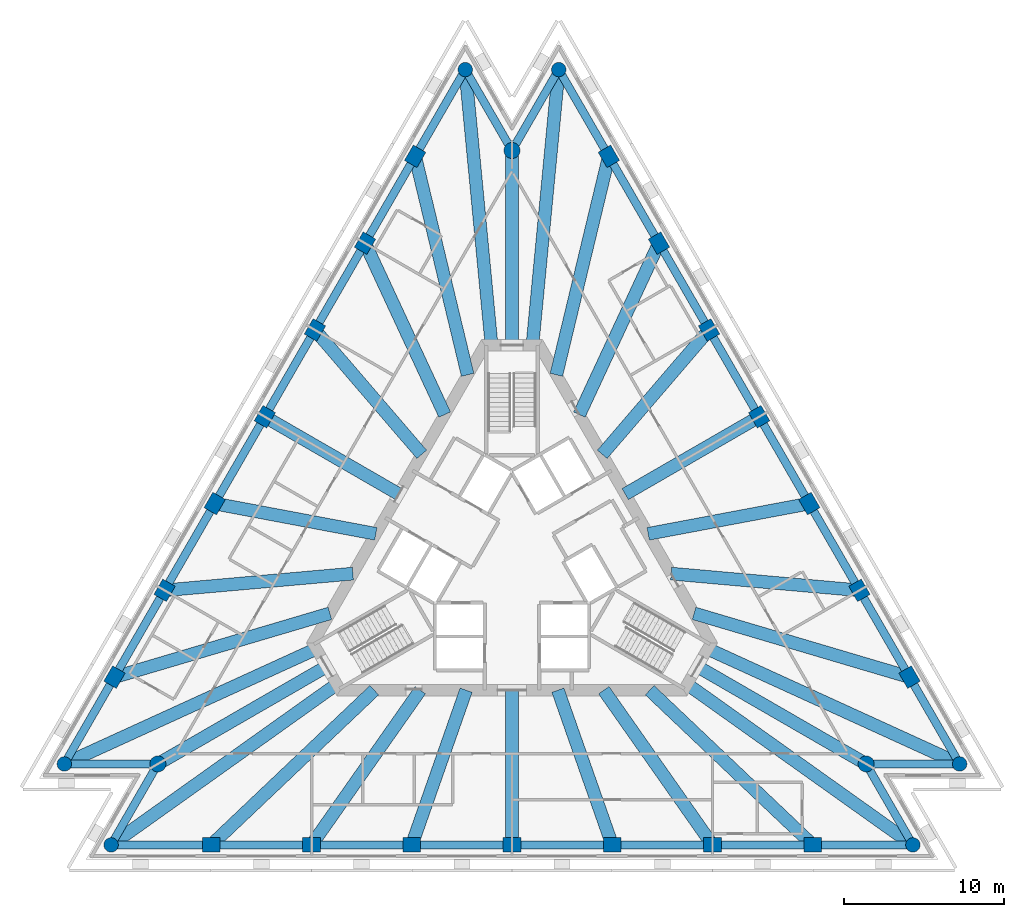
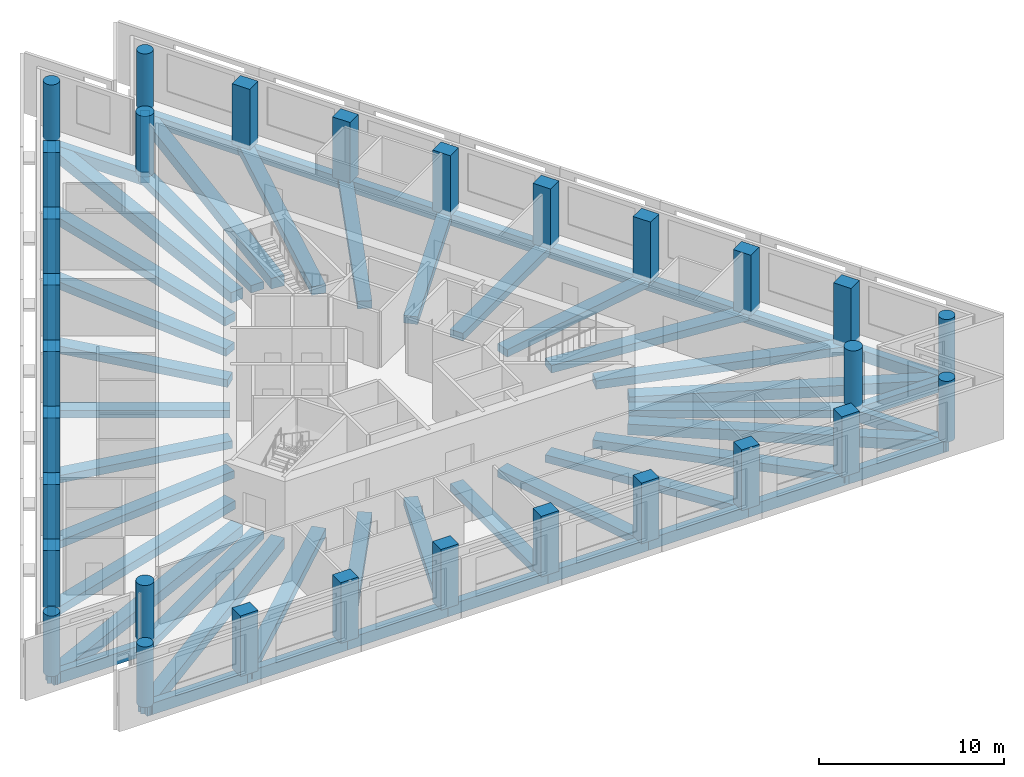
# One storey, part 1 of 10: 60 beams, 30 columns.
"""IFC4 building model written with IfcOpenShell, lengths in metres."""

from ifc_helpers import new_model, si_unit, direction, frame, origin, origin_2d, place, context, subcontext, project, spatial, rectangle, circle, extrude, material, material_profile, profile_set, type_object, element, save


model = new_model("IFC4")

# Units and contexts
model_context = context("Model", 3, precision=1e-05, world=origin(), true_north=direction((0.0, 1.0)))
body_context = subcontext(model_context, "Body", "Model", "MODEL_VIEW")
ifc_project = project(units=[si_unit("LENGTHUNIT", "METRE"), si_unit("AREAUNIT", "SQUARE_METRE"), si_unit("VOLUMEUNIT", "CUBIC_METRE"), si_unit("PLANEANGLEUNIT", "RADIAN"), si_unit("MASSUNIT", "GRAM", prefix="KILO")], contexts=[model_context])

# Site, building, storey
site_placement = place(None, origin())
site = spatial("IfcSite", under=ifc_project, at=site_placement, CompositionType="ELEMENT")
building_placement = place(site_placement, origin())
building = spatial("IfcBuilding", under=site, at=building_placement, Name="Triada Interchange Tower", CompositionType="ELEMENT")
storey_placement = place(building_placement, frame((0.0, 0.0, 199.300048828125)))
storey = spatial("IfcBuildingStorey", under=building, at=storey_placement, Name="L46", CompositionType="ELEMENT", Elevation=199.300048828125)

# Columns
ifc_material = material(Name="Concrete C50/60", Category="concrete")
ifc_material_profile_1 = material_profile(ifc_material, rectangle(XDim=1.10009765625, YDim=0.89990234375, at=origin_2d()), Name="RC 1100x900")
ifc_profile_set_1 = profile_set([ifc_material_profile_1], Name="Concrete C50/60")
column_type_1 = type_object("IfcColumnType", Name="Column C face RC 1100x900", PredefinedType="COLUMN", material=ifc_profile_set_1)
for number, where, z_axis, x_axis, name in (
    (1, (-6.0380859375, 25.131103515625, -0.300048828125), (0.0, 0.0, 1.0), (0.5, 0.866025403784, 0.0), "Column CC02 L46"),
    (2, (-9.162109375, 19.719970703125, -0.300048828125), (0.0, 0.0, 1.0), (0.5, 0.866025403784, 0.0), "Column CC03 L46"),
    (3, (-12.285888671875, 14.30908203125, -0.300048828125), (0.0, 0.0, 1.0), (0.5, 0.866025403784, 0.0), "Column CC04 L46"),
    (4, (-15.409912109375, 8.89794921875, -0.300048828125), (0.0, 0.0, 1.0), (0.5, 0.866025403784, 0.0), "Column CC05 L46"),
    (5, (-18.534912109375, 3.486083984375, -0.300048828125), (0.0, 0.0, 1.0), (0.5, 0.866025403784, 0.0), "Column CC06 L46"),
    (6, (-21.658935546875, -1.925048828125, -0.300048828125), (0.0, 0.0, 1.0), (0.5, 0.866025403784, 0.0), "Column CC07 L46"),
    (7, (-24.782958984375, -7.3359375, -0.300048828125), (0.0, 0.0, 1.0), (0.5, 0.866025403784, 0.0), "Column CC08 L46"),
    (8, (-18.7451171875, -17.794921875, -0.300048828125), (0.0, 0.0, 1.0), (1.0, 0.0, 0.0), "Column CC11 L46"),
    (9, (-12.49609375, -17.794921875, -0.300048828125), (0.0, 0.0, 1.0), (1.0, 0.0, 0.0), "Column CC12 L46"),
    (10, (-6.248046875, -17.794921875, -0.300048828125), (0.0, 0.0, 1.0), (1.0, 0.0, 0.0), "Column CC13 L46"),
    (11, (0.0, -17.794921875, -0.300048828125), (0.0, 0.0, 1.0), (1.0, 0.0, 0.0), "Column CC14 L46"),
    (12, (6.248046875, -17.794921875, -0.300048828125), (0.0, 0.0, 1.0), (1.0, 0.0, 0.0), "Column CC15 L46"),
    (13, (12.4970703125, -17.794921875, -0.300048828125), (0.0, 0.0, 1.0), (1.0, 0.0, 0.0), "Column CC16 L46"),
    (14, (18.7451171875, -17.794921875, -0.300048828125), (0.0, 0.0, 1.0), (1.0, 0.0, 0.0), "Column CC17 L46"),
    (15, (24.782958984375, -7.3359375, -0.300048828125), (0.0, 0.0, 1.0), (-0.5, 0.866025403784, 0.0), "Column CC20 L46"),
    (16, (21.658935546875, -1.925048828125, -0.300048828125), (0.0, 0.0, 1.0), (-0.5, 0.866025403784, 0.0), "Column CC21 L46"),
    (17, (18.534912109375, 3.486083984375, -0.300048828125), (0.0, 0.0, 1.0), (-0.5, 0.866025403784, 0.0), "Column CC22 L46"),
    (18, (15.409912109375, 8.89794921875, -0.300048828125), (0.0, 0.0, 1.0), (-0.5, 0.866025403784, 0.0), "Column CC23 L46"),
    (19, (12.285888671875, 14.30908203125, -0.300048828125), (0.0, 0.0, 1.0), (-0.5, 0.866025403784, 0.0), "Column CC24 L46"),
    (20, (9.162109375, 19.719970703125, -0.300048828125), (0.0, 0.0, 1.0), (-0.5, 0.866025403784, 0.0), "Column CC25 L46"),
    (21, (6.0380859375, 25.131103515625, -0.300048828125), (0.0, 0.0, 1.0), (-0.5, 0.866025403784, 0.0), "Column CC26 L46"),
):
    element("IfcColumn", number, at=place(storey_placement, frame(where, z_axis=z_axis, x_axis=x_axis)), inside=storey, type_object=column_type_1, Name=name, PredefinedType="COLUMN", context=body_context, shape_type="SweptSolid", body=[
        extrude(rectangle(XDim=1.10009765625, YDim=0.89990234375, at=origin_2d()), origin(), (0.0, 0.0, 1.0), 4.0),
    ])
ifc_material_profile_2 = material_profile(ifc_material, circle(Radius=0.449951171875, at=origin_2d()), Name="RC D900")
ifc_profile_set_2 = profile_set([ifc_material_profile_2], Name="Concrete C50/60")
column_type_2 = type_object("IfcColumnType", Name="End column C RC D900", PredefinedType="COLUMN", material=ifc_profile_set_2)
for number, where, z_axis, x_axis, name in (
    (22, (-2.9140625, 30.5419921875, -0.300048828125), (0.0, 0.0, 1.0), (0.5, 0.866025403784, 0.0), "Column CC01 L46"),
    (23, (-27.906982421875, -12.7470703125, -0.300048828125), (0.0, 0.0, 1.0), (0.5, 0.866025403784, 0.0), "Column CC09 L46"),
    (24, (-24.992919921875, -17.794921875, -0.300048828125), (0.0, 0.0, 1.0), (1.0, 0.0, 0.0), "Column CC10 L46"),
    (25, (24.992919921875, -17.794921875, -0.300048828125), (0.0, 0.0, 1.0), (1.0, 0.0, 0.0), "Column CC18 L46"),
    (26, (27.906982421875, -12.7470703125, -0.300048828125), (0.0, 0.0, 1.0), (-0.5, 0.866025403784, 0.0), "Column CC19 L46"),
    (27, (2.9140625, 30.5419921875, -0.300048828125), (0.0, 0.0, 1.0), (-0.5, 0.866025403784, 0.0), "Column CC27 L46"),
):
    element("IfcColumn", number, at=place(storey_placement, frame(where, z_axis=z_axis, x_axis=x_axis)), inside=storey, type_object=column_type_2, Name=name, PredefinedType="COLUMN", context=body_context, shape_type="SweptSolid", body=[
        extrude(circle(Radius=0.449951171875, at=origin_2d()), origin(), (0.0, 0.0, 1.0), 4.0),
    ])
ifc_material_profile_3 = material_profile(ifc_material, circle(Radius=0.5, at=origin_2d()), Name="RC D1000")
ifc_profile_set_3 = profile_set([ifc_material_profile_3], Name="Concrete C50/60")
column_type_3 = type_object("IfcColumnType", Name="Mega column C RC D1000", PredefinedType="COLUMN", material=ifc_profile_set_3)
for number, where, z_axis, x_axis, name in (
    (28, (0.0, 25.4951171875, -0.300048828125), (0.0, 0.0, 1.0), (1.0, 0.0, 0.0), "Column MC1 L46"),
    (29, (-22.0791015625, -12.7470703125, -0.300048828125), (0.0, 0.0, 1.0), (1.0, 0.0, 0.0), "Column MC2 L46"),
    (30, (22.0791015625, -12.7470703125, -0.300048828125), (0.0, 0.0, 1.0), (1.0, 0.0, 0.0), "Column MC3 L46"),
):
    element("IfcColumn", number, at=place(storey_placement, frame(where, z_axis=z_axis, x_axis=x_axis)), inside=storey, type_object=column_type_3, Name=name, PredefinedType="COLUMN", context=body_context, shape_type="SweptSolid", body=[
        extrude(circle(Radius=0.5, at=origin_2d()), origin(), (0.0, 0.0, 1.0), 4.0),
    ])

# Beams
ifc_material_profile_4 = material_profile(ifc_material, rectangle(XDim=0.800048828125, YDim=0.5, at=origin_2d()), Name="RC 800x500")
ifc_profile_set_4 = profile_set([ifc_material_profile_4], Name="Concrete C50/60")
beam_type_1 = type_object("IfcBeamType", Name="Radial band beam C RC 800x500", PredefinedType="BEAM", material=ifc_profile_set_4)
beam_1_placement = place(storey_placement, frame((-9.162109375, 19.719970703125, -0.550048828125), z_axis=(0.421375439304, -0.906886287884, 0.0), x_axis=(0.906886287884, 0.421375439304, 0.0)))
element("IfcBeam", 31, at=beam_1_placement, inside=storey, type_object=beam_type_1, Name="Radial band beam BC03 L46", PredefinedType="BEAM", context=body_context, shape_type="SweptSolid", body=[
    extrude(rectangle(XDim=0.800048828125, YDim=0.5, at=origin_2d()), origin(), (0.0, 0.0, 1.0), 11.785400390625),
])
beam_2_placement = place(storey_placement, frame((-12.285888671875, 14.30908203125, -0.550048828125), z_axis=(0.651450059904, -0.758691517978, 0.0), x_axis=(0.758691517978, 0.651450059904, 0.0)))
element("IfcBeam", 32, at=beam_2_placement, inside=storey, type_object=beam_type_1, Name="Radial band beam BC04 L46", PredefinedType="BEAM", context=body_context, shape_type="SweptSolid", body=[
    extrude(rectangle(XDim=0.800048828125, YDim=0.5, at=origin_2d()), origin(), (0.0, 0.0, 1.0), 10.2216796875),
])
beam_3_placement = place(storey_placement, frame((-15.409912109375, 8.89794921875, -0.550048828125), z_axis=(0.865976899387, -0.500084002672, 0.0), x_axis=(0.500084002672, 0.865976899387, 0.0)))
element("IfcBeam", 33, at=beam_3_placement, inside=storey, type_object=beam_type_1, Name="Radial band beam BC05 L46", PredefinedType="BEAM", context=body_context, shape_type="SweptSolid", body=[
    extrude(rectangle(XDim=0.800048828125, YDim=0.5, at=origin_2d()), origin(), (0.0, 0.0, 1.0), 9.644287109375),
])
beam_4_placement = place(storey_placement, frame((-18.534912109375, 3.486083984375, -0.550048828125), z_axis=(0.982773627187, -0.18481341322, 0.0), x_axis=(0.18481341322, 0.982773627187, 0.0)))
element("IfcBeam", 34, at=beam_4_placement, inside=storey, type_object=beam_type_1, Name="Radial band beam BC06 L46", PredefinedType="BEAM", context=body_context, shape_type="SweptSolid", body=[
    extrude(rectangle(XDim=0.800048828125, YDim=0.5, at=origin_2d()), origin(), (0.0, 0.0, 1.0), 10.221923828125),
])
beam_5_placement = place(storey_placement, frame((-21.658935546875, -1.925048828125, -0.550048828125), z_axis=(0.996076374938, 0.088497769976, 0.0), x_axis=(-0.088497769976, 0.996076374938, 0.0)))
element("IfcBeam", 35, at=beam_5_placement, inside=storey, type_object=beam_type_1, Name="Radial band beam BC07 L46", PredefinedType="BEAM", context=body_context, shape_type="SweptSolid", body=[
    extrude(rectangle(XDim=0.800048828125, YDim=0.5, at=origin_2d()), origin(), (0.0, 0.0, 1.0), 11.78515625),
])
beam_6_placement = place(storey_placement, frame((-22.0791015625, -12.7470703125, -0.550048828125), z_axis=(0.866026229868, 0.499998569178, 0.0), x_axis=(-0.499998569178, 0.866026229868, 0.0)))
element("IfcBeam", 36, at=beam_6_placement, inside=storey, type_object=beam_type_1, Name="Radial band beam BC10 L46", PredefinedType="BEAM", context=body_context, shape_type="SweptSolid", body=[
    extrude(rectangle(XDim=0.800048828125, YDim=0.5, at=origin_2d()), origin(), (0.0, 0.0, 1.0), 12.14404296875),
])
beam_7_placement = place(storey_placement, frame((-12.49609375, -17.794921875, -0.550048828125), z_axis=(0.574696251611, 0.818366799414, 0.0), x_axis=(-0.818366799414, 0.574696251611, 0.0)))
element("IfcBeam", 37, at=beam_7_placement, inside=storey, type_object=beam_type_1, Name="Radial band beam BC13 L46", PredefinedType="BEAM", context=body_context, shape_type="SweptSolid", body=[
    extrude(rectangle(XDim=0.800048828125, YDim=0.5, at=origin_2d()), origin(), (0.0, 0.0, 1.0), 11.78564453125),
])
beam_8_placement = place(storey_placement, frame((-6.248046875, -17.794921875, -0.550048828125), z_axis=(0.3312417903, 0.943545905804, 0.0), x_axis=(-0.943545905804, 0.3312417903, 0.0)))
element("IfcBeam", 38, at=beam_8_placement, inside=storey, type_object=beam_type_1, Name="Radial band beam BC14 L46", PredefinedType="BEAM", context=body_context, shape_type="SweptSolid", body=[
    extrude(rectangle(XDim=0.800048828125, YDim=0.5, at=origin_2d()), origin(), (0.0, 0.0, 1.0), 10.22216796875),
])
beam_9_placement = place(storey_placement, frame((0.0, -17.794921875, -0.550048828125), z_axis=(0.0, 1.0, 0.0), x_axis=(-1.0, 0.0, 0.0)))
element("IfcBeam", 39, at=beam_9_placement, inside=storey, type_object=beam_type_1, Name="Radial band beam BC15 L46", PredefinedType="BEAM", context=body_context, shape_type="SweptSolid", body=[
    extrude(rectangle(XDim=0.800048828125, YDim=0.5, at=origin_2d()), origin(), (0.0, 0.0, 1.0), 9.64501953125),
])
beam_10_placement = place(storey_placement, frame((6.248046875, -17.794921875, -0.550048828125), z_axis=(-0.3312417903, 0.943545905804, 0.0), x_axis=(-0.943545905804, -0.3312417903, 0.0)))
element("IfcBeam", 40, at=beam_10_placement, inside=storey, type_object=beam_type_1, Name="Radial band beam BC16 L46", PredefinedType="BEAM", context=body_context, shape_type="SweptSolid", body=[
    extrude(rectangle(XDim=0.800048828125, YDim=0.5, at=origin_2d()), origin(), (0.0, 0.0, 1.0), 10.22216796875),
])
beam_11_placement = place(storey_placement, frame((12.4970703125, -17.794921875, -0.550048828125), z_axis=(-0.574682378026, 0.818376541933, 0.0), x_axis=(-0.818376541933, -0.574682378026, 0.0)))
element("IfcBeam", 41, at=beam_11_placement, inside=storey, type_object=beam_type_1, Name="Radial band beam BC17 L46", PredefinedType="BEAM", context=body_context, shape_type="SweptSolid", body=[
    extrude(rectangle(XDim=0.800048828125, YDim=0.5, at=origin_2d()), origin(), (0.0, 0.0, 1.0), 11.78564453125),
])
beam_12_placement = place(storey_placement, frame((22.0791015625, -12.7470703125, -0.550048828125), z_axis=(-0.866026229868, 0.499998569178, 0.0), x_axis=(-0.499998569178, -0.866026229868, 0.0)))
element("IfcBeam", 42, at=beam_12_placement, inside=storey, type_object=beam_type_1, Name="Radial band beam BC20 L46", PredefinedType="BEAM", context=body_context, shape_type="SweptSolid", body=[
    extrude(rectangle(XDim=0.800048828125, YDim=0.5, at=origin_2d()), origin(), (0.0, 0.0, 1.0), 12.14404296875),
])
beam_13_placement = place(storey_placement, frame((21.658935546875, -1.925048828125, -0.550048828125), z_axis=(-0.996076374938, 0.088497769976, 0.0), x_axis=(-0.088497769976, -0.996076374938, 0.0)))
element("IfcBeam", 43, at=beam_13_placement, inside=storey, type_object=beam_type_1, Name="Radial band beam BC23 L46", PredefinedType="BEAM", context=body_context, shape_type="SweptSolid", body=[
    extrude(rectangle(XDim=0.800048828125, YDim=0.5, at=origin_2d()), origin(), (0.0, 0.0, 1.0), 11.78515625),
])
beam_14_placement = place(storey_placement, frame((18.534912109375, 3.486083984375, -0.550048828125), z_axis=(-0.982773627187, -0.18481341322, 0.0), x_axis=(0.18481341322, -0.982773627187, 0.0)))
element("IfcBeam", 44, at=beam_14_placement, inside=storey, type_object=beam_type_1, Name="Radial band beam BC24 L46", PredefinedType="BEAM", context=body_context, shape_type="SweptSolid", body=[
    extrude(rectangle(XDim=0.800048828125, YDim=0.5, at=origin_2d()), origin(), (0.0, 0.0, 1.0), 10.221923828125),
])
beam_15_placement = place(storey_placement, frame((15.409912109375, 8.89794921875, -0.550048828125), z_axis=(-0.865976899387, -0.500084002672, 0.0), x_axis=(0.500084002672, -0.865976899387, 0.0)))
element("IfcBeam", 45, at=beam_15_placement, inside=storey, type_object=beam_type_1, Name="Radial band beam BC25 L46", PredefinedType="BEAM", context=body_context, shape_type="SweptSolid", body=[
    extrude(rectangle(XDim=0.800048828125, YDim=0.5, at=origin_2d()), origin(), (0.0, 0.0, 1.0), 9.644287109375),
])
beam_16_placement = place(storey_placement, frame((12.285888671875, 14.30908203125, -0.550048828125), z_axis=(-0.651450059904, -0.758691517978, 0.0), x_axis=(0.758691517978, -0.651450059904, 0.0)))
element("IfcBeam", 46, at=beam_16_placement, inside=storey, type_object=beam_type_1, Name="Radial band beam BC26 L46", PredefinedType="BEAM", context=body_context, shape_type="SweptSolid", body=[
    extrude(rectangle(XDim=0.800048828125, YDim=0.5, at=origin_2d()), origin(), (0.0, 0.0, 1.0), 10.2216796875),
])
beam_17_placement = place(storey_placement, frame((9.162109375, 19.719970703125, -0.550048828125), z_axis=(-0.421375439304, -0.906886287884, 0.0), x_axis=(0.906886287884, -0.421375439304, 0.0)))
element("IfcBeam", 47, at=beam_17_placement, inside=storey, type_object=beam_type_1, Name="Radial band beam BC27 L46", PredefinedType="BEAM", context=body_context, shape_type="SweptSolid", body=[
    extrude(rectangle(XDim=0.800048828125, YDim=0.5, at=origin_2d()), origin(), (0.0, 0.0, 1.0), 11.785400390625),
])
beam_18_placement = place(storey_placement, frame((0.0, 25.4951171875, -0.550048828125), z_axis=(0.0, -1.0, 0.0), x_axis=(1.0, 0.0, 0.0)))
element("IfcBeam", 48, at=beam_18_placement, inside=storey, type_object=beam_type_1, Name="Radial band beam BC30 L46", PredefinedType="BEAM", context=body_context, shape_type="SweptSolid", body=[
    extrude(rectangle(XDim=0.800048828125, YDim=0.5, at=origin_2d()), origin(), (0.0, 0.0, 1.0), 12.14501953125),
])
ifc_material_profile_5 = material_profile(ifc_material, rectangle(XDim=0.800048828125, YDim=0.550048828125, at=origin_2d()), Name="RC 800x550")
ifc_profile_set_5 = profile_set([ifc_material_profile_5], Name="Concrete C50/60")
beam_type_2 = type_object("IfcBeamType", Name="Radial band beam C RC 800x550", PredefinedType="BEAM", material=ifc_profile_set_5)
beam_19_placement = place(storey_placement, frame((-6.0380859375, 25.131103515625, -0.574951171875), z_axis=(0.233651758027, -0.972320346373, 0.0), x_axis=(0.972320346373, 0.233651758027, 0.0)))
element("IfcBeam", 49, at=beam_19_placement, inside=storey, type_object=beam_type_2, Name="Radial band beam BC02 L46", PredefinedType="BEAM", context=body_context, shape_type="SweptSolid", body=[
    extrude(rectangle(XDim=0.800048828125, YDim=0.550048828125, at=origin_2d()), origin(), (0.0, 0.0, 1.0), 14.0087890625),
])
beam_20_placement = place(storey_placement, frame((-24.782958984375, -7.3359375, -0.574951171875), z_axis=(0.958875616095, 0.283826624645, 0.0), x_axis=(-0.283826624645, 0.958875616095, 0.0)))
element("IfcBeam", 50, at=beam_20_placement, inside=storey, type_object=beam_type_2, Name="Radial band beam BC08 L46", PredefinedType="BEAM", context=body_context, shape_type="SweptSolid", body=[
    extrude(rectangle(XDim=0.800048828125, YDim=0.550048828125, at=origin_2d()), origin(), (0.0, 0.0, 1.0), 14.008056640625),
])
for number, where, z_axis, x_axis, name in (
    (51, (-18.7451171875, -17.794921875, -0.574951171875), (0.725253488125, 0.688481937281, 0.0), (-0.688481937281, 0.725253488125, 0.0), "Radial band beam BC12 L46"),
    (52, (18.7451171875, -17.794921875, -0.574951171875), (-0.725253488125, 0.688481937281, 0.0), (-0.688481937281, -0.725253488125, 0.0), "Radial band beam BC18 L46"),
):
    element("IfcBeam", number, at=place(storey_placement, frame(where, z_axis=z_axis, x_axis=x_axis)), inside=storey, type_object=beam_type_2, Name=name, PredefinedType="BEAM", context=body_context, shape_type="SweptSolid", body=[
        extrude(rectangle(XDim=0.800048828125, YDim=0.550048828125, at=origin_2d()), origin(), (0.0, 0.0, 1.0), 14.009033203125),
    ])
beam_21_placement = place(storey_placement, frame((24.782958984375, -7.3359375, -0.574951171875), z_axis=(-0.958875616095, 0.283826624645, 0.0), x_axis=(-0.283826624645, -0.958875616095, 0.0)))
element("IfcBeam", 53, at=beam_21_placement, inside=storey, type_object=beam_type_2, Name="Radial band beam BC22 L46", PredefinedType="BEAM", context=body_context, shape_type="SweptSolid", body=[
    extrude(rectangle(XDim=0.800048828125, YDim=0.550048828125, at=origin_2d()), origin(), (0.0, 0.0, 1.0), 14.008056640625),
])
beam_22_placement = place(storey_placement, frame((6.0380859375, 25.131103515625, -0.574951171875), z_axis=(-0.233651758027, -0.972320346373, 0.0), x_axis=(0.972320346373, -0.233651758027, 0.0)))
element("IfcBeam", 54, at=beam_22_placement, inside=storey, type_object=beam_type_2, Name="Radial band beam BC28 L46", PredefinedType="BEAM", context=body_context, shape_type="SweptSolid", body=[
    extrude(rectangle(XDim=0.800048828125, YDim=0.550048828125, at=origin_2d()), origin(), (0.0, 0.0, 1.0), 14.0087890625),
])
ifc_material_profile_6 = material_profile(ifc_material, rectangle(XDim=0.800048828125, YDim=0.699951171875, at=origin_2d()), Name="RC 800x700")
ifc_profile_set_6 = profile_set([ifc_material_profile_6], Name="Concrete C50/60")
beam_type_3 = type_object("IfcBeamType", Name="Radial band beam C RC 800x700", PredefinedType="BEAM", material=ifc_profile_set_6)
for number, where, z_axis, x_axis, name in (
    (55, (-2.9140625, 30.5419921875, -0.650146484375), (0.094970535987, -0.995480083826, 0.0), (0.995480083826, 0.094970535987, 0.0), "Radial band beam BC01 L46"),
    (56, (-27.906982421875, -12.7470703125, -0.650146484375), (0.909610200258, 0.415462734294, 0.0), (-0.415462734294, 0.909610200258, 0.0), "Radial band beam BC09 L46"),
):
    element("IfcBeam", number, at=place(storey_placement, frame(where, z_axis=z_axis, x_axis=x_axis)), inside=storey, type_object=beam_type_3, Name=name, PredefinedType="BEAM", context=body_context, shape_type="SweptSolid", body=[
        extrude(rectangle(XDim=0.800048828125, YDim=0.699951171875, at=origin_2d()), origin(), (0.0, 0.0, 1.0), 17.27001953125),
    ])
for number, where, z_axis, x_axis, name in (
    (57, (-24.992919921875, -17.794921875, -0.650146484375), (0.814598932614, 0.580024636532, 0.0), (-0.580024636532, 0.814598932614, 0.0), "Radial band beam BC11 L46"),
    (58, (24.992919921875, -17.794921875, -0.650146484375), (-0.814598932614, 0.580024636532, 0.0), (-0.580024636532, -0.814598932614, 0.0), "Radial band beam BC19 L46"),
):
    element("IfcBeam", number, at=place(storey_placement, frame(where, z_axis=z_axis, x_axis=x_axis)), inside=storey, type_object=beam_type_3, Name=name, PredefinedType="BEAM", context=body_context, shape_type="SweptSolid", body=[
        extrude(rectangle(XDim=0.800048828125, YDim=0.699951171875, at=origin_2d()), origin(), (0.0, 0.0, 1.0), 17.269775390625),
    ])
for number, where, z_axis, x_axis, name in (
    (59, (27.906982421875, -12.7470703125, -0.650146484375), (-0.909610200258, 0.415462734294, 0.0), (-0.415462734294, -0.909610200258, 0.0), "Radial band beam BC21 L46"),
    (60, (2.9140625, 30.5419921875, -0.650146484375), (-0.094970535987, -0.995480083826, 0.0), (0.995480083826, -0.094970535987, 0.0), "Radial band beam BC29 L46"),
):
    element("IfcBeam", number, at=place(storey_placement, frame(where, z_axis=z_axis, x_axis=x_axis)), inside=storey, type_object=beam_type_3, Name=name, PredefinedType="BEAM", context=body_context, shape_type="SweptSolid", body=[
        extrude(rectangle(XDim=0.800048828125, YDim=0.699951171875, at=origin_2d()), origin(), (0.0, 0.0, 1.0), 17.27001953125),
    ])
ifc_material_profile_7 = material_profile(ifc_material, rectangle(XDim=0.5, YDim=0.75, at=origin_2d()), Name="RC 500x750")
ifc_profile_set_7 = profile_set([ifc_material_profile_7], Name="Concrete C50/60")
beam_type_4 = type_object("IfcBeamType", Name="Spandrel beam C RC 500x750", PredefinedType="BEAM", material=ifc_profile_set_7)
beam_23_placement = place(storey_placement, frame((-2.9140625, 30.5419921875, -0.675048828125), z_axis=(-0.500005450501, -0.866022256913, 0.0), x_axis=(0.866022256913, -0.500005450501, 0.0)))
element("IfcBeam", 61, at=beam_23_placement, inside=storey, type_object=beam_type_4, Name="Spandrel beam EC01 L46", PredefinedType="BEAM", context=body_context, shape_type="SweptSolid", body=[
    extrude(rectangle(XDim=0.5, YDim=0.75, at=origin_2d()), origin(), (0.0, 0.0, 1.0), 6.248046875),
])
beam_24_placement = place(storey_placement, frame((-6.0380859375, 25.131103515625, -0.675048828125), z_axis=(-0.499988530825, -0.866032025414, 0.0), x_axis=(0.866032025414, -0.499988530825, 0.0)))
element("IfcBeam", 62, at=beam_24_placement, inside=storey, type_object=beam_type_4, Name="Spandrel beam EC02 L46", PredefinedType="BEAM", context=body_context, shape_type="SweptSolid", body=[
    extrude(rectangle(XDim=0.5, YDim=0.75, at=origin_2d()), origin(), (0.0, 0.0, 1.0), 6.248291015625),
])
beam_25_placement = place(storey_placement, frame((-9.162109375, 19.719970703125, -0.675048828125), z_axis=(-0.499976143503, -0.866039176901, 0.0), x_axis=(0.866039176901, -0.499976143503, 0.0)))
element("IfcBeam", 63, at=beam_25_placement, inside=storey, type_object=beam_type_4, Name="Spandrel beam EC03 L46", PredefinedType="BEAM", context=body_context, shape_type="SweptSolid", body=[
    extrude(rectangle(XDim=0.5, YDim=0.75, at=origin_2d()), origin(), (0.0, 0.0, 1.0), 6.247802734375),
])
beam_26_placement = place(storey_placement, frame((-12.285888671875, 14.30908203125, -0.675048828125), z_axis=(-0.499988530825, -0.866032025414, 0.0), x_axis=(0.866032025414, -0.499988530825, 0.0)))
element("IfcBeam", 64, at=beam_26_placement, inside=storey, type_object=beam_type_4, Name="Spandrel beam EC04 L46", PredefinedType="BEAM", context=body_context, shape_type="SweptSolid", body=[
    extrude(rectangle(XDim=0.5, YDim=0.75, at=origin_2d()), origin(), (0.0, 0.0, 1.0), 6.248291015625),
])
beam_27_placement = place(storey_placement, frame((-15.409912109375, 8.89794921875, -0.675048828125), z_axis=(-0.500054983052, -0.865993656977, 0.0), x_axis=(0.865993656977, -0.500054983052, 0.0)))
element("IfcBeam", 65, at=beam_27_placement, inside=storey, type_object=beam_type_4, Name="Spandrel beam EC05 L46", PredefinedType="BEAM", context=body_context, shape_type="SweptSolid", body=[
    extrude(rectangle(XDim=0.5, YDim=0.75, at=origin_2d()), origin(), (0.0, 0.0, 1.0), 6.249267578125),
])
beam_28_placement = place(storey_placement, frame((-18.534912109375, 3.486083984375, -0.675048828125), z_axis=(-0.499988530825, -0.866032025414, 0.0), x_axis=(0.866032025414, -0.499988530825, 0.0)))
element("IfcBeam", 66, at=beam_28_placement, inside=storey, type_object=beam_type_4, Name="Spandrel beam EC06 L46", PredefinedType="BEAM", context=body_context, shape_type="SweptSolid", body=[
    extrude(rectangle(XDim=0.5, YDim=0.75, at=origin_2d()), origin(), (0.0, 0.0, 1.0), 6.248291015625),
])
beam_29_placement = place(storey_placement, frame((-21.658935546875, -1.925048828125, -0.675048828125), z_axis=(-0.500005450501, -0.866022256913, 0.0), x_axis=(0.866022256913, -0.500005450501, 0.0)))
element("IfcBeam", 67, at=beam_29_placement, inside=storey, type_object=beam_type_4, Name="Spandrel beam EC07 L46", PredefinedType="BEAM", context=body_context, shape_type="SweptSolid", body=[
    extrude(rectangle(XDim=0.5, YDim=0.75, at=origin_2d()), origin(), (0.0, 0.0, 1.0), 6.248046875),
])
beam_30_placement = place(storey_placement, frame((-24.782958984375, -7.3359375, -0.675048828125), z_axis=(-0.499988530825, -0.866032025414, 0.0), x_axis=(0.866032025414, -0.499988530825, 0.0)))
element("IfcBeam", 68, at=beam_30_placement, inside=storey, type_object=beam_type_4, Name="Spandrel beam EC08 L46", PredefinedType="BEAM", context=body_context, shape_type="SweptSolid", body=[
    extrude(rectangle(XDim=0.5, YDim=0.75, at=origin_2d()), origin(), (0.0, 0.0, 1.0), 6.248291015625),
])
beam_31_placement = place(storey_placement, frame((-27.906982421875, -12.7470703125, -0.675048828125), z_axis=(1.0, 0.0, 0.0), x_axis=(0.0, 1.0, 0.0)))
element("IfcBeam", 69, at=beam_31_placement, inside=storey, type_object=beam_type_4, Name="Spandrel beam EC09 L46", PredefinedType="BEAM", context=body_context, shape_type="SweptSolid", body=[
    extrude(rectangle(XDim=0.5, YDim=0.75, at=origin_2d()), origin(), (0.0, 0.0, 1.0), 5.827880859375),
])
beam_32_placement = place(storey_placement, frame((-22.0791015625, -12.7470703125, -0.675048828125), z_axis=(-0.499927925529, -0.866067012001, 0.0), x_axis=(0.866067012001, -0.499927925529, 0.0)))
element("IfcBeam", 70, at=beam_32_placement, inside=storey, type_object=beam_type_4, Name="Spandrel beam EC10 L46", PredefinedType="BEAM", context=body_context, shape_type="SweptSolid", body=[
    extrude(rectangle(XDim=0.5, YDim=0.75, at=origin_2d()), origin(), (0.0, 0.0, 1.0), 5.828369140625),
])
beam_33_placement = place(storey_placement, frame((-24.992919921875, -17.794921875, -0.675048828125), z_axis=(1.0, 0.0, 0.0), x_axis=(0.0, 1.0, 0.0)))
element("IfcBeam", 71, at=beam_33_placement, inside=storey, type_object=beam_type_4, Name="Spandrel beam EC11 L46", PredefinedType="BEAM", context=body_context, shape_type="SweptSolid", body=[
    extrude(rectangle(XDim=0.5, YDim=0.75, at=origin_2d()), origin(), (0.0, 0.0, 1.0), 6.247802734375),
])
beam_34_placement = place(storey_placement, frame((-18.7451171875, -17.794921875, -0.675048828125), z_axis=(1.0, 0.0, 0.0), x_axis=(0.0, 1.0, 0.0)))
element("IfcBeam", 72, at=beam_34_placement, inside=storey, type_object=beam_type_4, Name="Spandrel beam EC12 L46", PredefinedType="BEAM", context=body_context, shape_type="SweptSolid", body=[
    extrude(rectangle(XDim=0.5, YDim=0.75, at=origin_2d()), origin(), (0.0, 0.0, 1.0), 6.2490234375),
])
for number, where, z_axis, x_axis, name in (
    (73, (-12.49609375, -17.794921875, -0.675048828125), (1.0, 0.0, 0.0), (0.0, 1.0, 0.0), "Spandrel beam EC13 L46"),
    (74, (-6.248046875, -17.794921875, -0.675048828125), (1.0, 0.0, 0.0), (0.0, 1.0, 0.0), "Spandrel beam EC14 L46"),
    (75, (0.0, -17.794921875, -0.675048828125), (1.0, 0.0, 0.0), (0.0, 1.0, 0.0), "Spandrel beam EC15 L46"),
):
    element("IfcBeam", number, at=place(storey_placement, frame(where, z_axis=z_axis, x_axis=x_axis)), inside=storey, type_object=beam_type_4, Name=name, PredefinedType="BEAM", context=body_context, shape_type="SweptSolid", body=[
        extrude(rectangle(XDim=0.5, YDim=0.75, at=origin_2d()), origin(), (0.0, 0.0, 1.0), 6.248046875),
    ])
beam_35_placement = place(storey_placement, frame((6.248046875, -17.794921875, -0.675048828125), z_axis=(1.0, 0.0, 0.0), x_axis=(0.0, 1.0, 0.0)))
element("IfcBeam", 76, at=beam_35_placement, inside=storey, type_object=beam_type_4, Name="Spandrel beam EC16 L46", PredefinedType="BEAM", context=body_context, shape_type="SweptSolid", body=[
    extrude(rectangle(XDim=0.5, YDim=0.75, at=origin_2d()), origin(), (0.0, 0.0, 1.0), 6.2490234375),
])
beam_36_placement = place(storey_placement, frame((12.4970703125, -17.794921875, -0.675048828125), z_axis=(1.0, 0.0, 0.0), x_axis=(0.0, 1.0, 0.0)))
element("IfcBeam", 77, at=beam_36_placement, inside=storey, type_object=beam_type_4, Name="Spandrel beam EC17 L46", PredefinedType="BEAM", context=body_context, shape_type="SweptSolid", body=[
    extrude(rectangle(XDim=0.5, YDim=0.75, at=origin_2d()), origin(), (0.0, 0.0, 1.0), 6.248046875),
])
beam_37_placement = place(storey_placement, frame((18.7451171875, -17.794921875, -0.675048828125), z_axis=(1.0, 0.0, 0.0), x_axis=(0.0, 1.0, 0.0)))
element("IfcBeam", 78, at=beam_37_placement, inside=storey, type_object=beam_type_4, Name="Spandrel beam EC18 L46", PredefinedType="BEAM", context=body_context, shape_type="SweptSolid", body=[
    extrude(rectangle(XDim=0.5, YDim=0.75, at=origin_2d()), origin(), (0.0, 0.0, 1.0), 6.247802734375),
])
beam_38_placement = place(storey_placement, frame((24.992919921875, -17.794921875, -0.675048828125), z_axis=(-0.499927925529, 0.866067012001, 0.0), x_axis=(-0.866067012001, -0.499927925529, 0.0)))
element("IfcBeam", 79, at=beam_38_placement, inside=storey, type_object=beam_type_4, Name="Spandrel beam EC19 L46", PredefinedType="BEAM", context=body_context, shape_type="SweptSolid", body=[
    extrude(rectangle(XDim=0.5, YDim=0.75, at=origin_2d()), origin(), (0.0, 0.0, 1.0), 5.828369140625),
])
beam_39_placement = place(storey_placement, frame((22.0791015625, -12.7470703125, -0.675048828125), z_axis=(1.0, 0.0, 0.0), x_axis=(0.0, 1.0, 0.0)))
element("IfcBeam", 80, at=beam_39_placement, inside=storey, type_object=beam_type_4, Name="Spandrel beam EC20 L46", PredefinedType="BEAM", context=body_context, shape_type="SweptSolid", body=[
    extrude(rectangle(XDim=0.5, YDim=0.75, at=origin_2d()), origin(), (0.0, 0.0, 1.0), 5.827880859375),
])
beam_40_placement = place(storey_placement, frame((27.906982421875, -12.7470703125, -0.675048828125), z_axis=(-0.499988530825, 0.866032025414, 0.0), x_axis=(-0.866032025414, -0.499988530825, 0.0)))
element("IfcBeam", 81, at=beam_40_placement, inside=storey, type_object=beam_type_4, Name="Spandrel beam EC21 L46", PredefinedType="BEAM", context=body_context, shape_type="SweptSolid", body=[
    extrude(rectangle(XDim=0.5, YDim=0.75, at=origin_2d()), origin(), (0.0, 0.0, 1.0), 6.248291015625),
])
beam_41_placement = place(storey_placement, frame((24.782958984375, -7.3359375, -0.675048828125), z_axis=(-0.500005450501, 0.866022256913, 0.0), x_axis=(-0.866022256913, -0.500005450501, 0.0)))
element("IfcBeam", 82, at=beam_41_placement, inside=storey, type_object=beam_type_4, Name="Spandrel beam EC22 L46", PredefinedType="BEAM", context=body_context, shape_type="SweptSolid", body=[
    extrude(rectangle(XDim=0.5, YDim=0.75, at=origin_2d()), origin(), (0.0, 0.0, 1.0), 6.248046875),
])
beam_42_placement = place(storey_placement, frame((21.658935546875, -1.925048828125, -0.675048828125), z_axis=(-0.499988530825, 0.866032025414, 0.0), x_axis=(-0.866032025414, -0.499988530825, 0.0)))
element("IfcBeam", 83, at=beam_42_placement, inside=storey, type_object=beam_type_4, Name="Spandrel beam EC23 L46", PredefinedType="BEAM", context=body_context, shape_type="SweptSolid", body=[
    extrude(rectangle(XDim=0.5, YDim=0.75, at=origin_2d()), origin(), (0.0, 0.0, 1.0), 6.248291015625),
])
beam_43_placement = place(storey_placement, frame((18.534912109375, 3.486083984375, -0.675048828125), z_axis=(-0.500054983052, 0.865993656977, 0.0), x_axis=(-0.865993656977, -0.500054983052, 0.0)))
element("IfcBeam", 84, at=beam_43_placement, inside=storey, type_object=beam_type_4, Name="Spandrel beam EC24 L46", PredefinedType="BEAM", context=body_context, shape_type="SweptSolid", body=[
    extrude(rectangle(XDim=0.5, YDim=0.75, at=origin_2d()), origin(), (0.0, 0.0, 1.0), 6.249267578125),
])
beam_44_placement = place(storey_placement, frame((15.409912109375, 8.89794921875, -0.675048828125), z_axis=(-0.499988530825, 0.866032025414, 0.0), x_axis=(-0.866032025414, -0.499988530825, 0.0)))
element("IfcBeam", 85, at=beam_44_placement, inside=storey, type_object=beam_type_4, Name="Spandrel beam EC25 L46", PredefinedType="BEAM", context=body_context, shape_type="SweptSolid", body=[
    extrude(rectangle(XDim=0.5, YDim=0.75, at=origin_2d()), origin(), (0.0, 0.0, 1.0), 6.248291015625),
])
beam_45_placement = place(storey_placement, frame((12.285888671875, 14.30908203125, -0.675048828125), z_axis=(-0.499976143503, 0.866039176901, 0.0), x_axis=(-0.866039176901, -0.499976143503, 0.0)))
element("IfcBeam", 86, at=beam_45_placement, inside=storey, type_object=beam_type_4, Name="Spandrel beam EC26 L46", PredefinedType="BEAM", context=body_context, shape_type="SweptSolid", body=[
    extrude(rectangle(XDim=0.5, YDim=0.75, at=origin_2d()), origin(), (0.0, 0.0, 1.0), 6.247802734375),
])
beam_46_placement = place(storey_placement, frame((9.162109375, 19.719970703125, -0.675048828125), z_axis=(-0.499988530825, 0.866032025414, 0.0), x_axis=(-0.866032025414, -0.499988530825, 0.0)))
element("IfcBeam", 87, at=beam_46_placement, inside=storey, type_object=beam_type_4, Name="Spandrel beam EC27 L46", PredefinedType="BEAM", context=body_context, shape_type="SweptSolid", body=[
    extrude(rectangle(XDim=0.5, YDim=0.75, at=origin_2d()), origin(), (0.0, 0.0, 1.0), 6.248291015625),
])
beam_47_placement = place(storey_placement, frame((6.0380859375, 25.131103515625, -0.675048828125), z_axis=(-0.500005450501, 0.866022256913, 0.0), x_axis=(-0.866022256913, -0.500005450501, 0.0)))
element("IfcBeam", 88, at=beam_47_placement, inside=storey, type_object=beam_type_4, Name="Spandrel beam EC28 L46", PredefinedType="BEAM", context=body_context, shape_type="SweptSolid", body=[
    extrude(rectangle(XDim=0.5, YDim=0.75, at=origin_2d()), origin(), (0.0, 0.0, 1.0), 6.248046875),
])
for number, where, z_axis, x_axis, name in (
    (89, (2.9140625, 30.5419921875, -0.675048828125), (-0.500031897912, -0.866006986733, 0.0), (0.866006986733, -0.500031897912, 0.0), "Spandrel beam EC29 L46"),
    (90, (0.0, 25.4951171875, -0.675048828125), (-0.500031897912, 0.866006986733, 0.0), (-0.866006986733, -0.500031897912, 0.0), "Spandrel beam EC30 L46"),
):
    element("IfcBeam", number, at=place(storey_placement, frame(where, z_axis=z_axis, x_axis=x_axis)), inside=storey, type_object=beam_type_4, Name=name, PredefinedType="BEAM", context=body_context, shape_type="SweptSolid", body=[
        extrude(rectangle(XDim=0.5, YDim=0.75, at=origin_2d()), origin(), (0.0, 0.0, 1.0), 5.82763671875),
    ])

save(model, "model.ifc")
